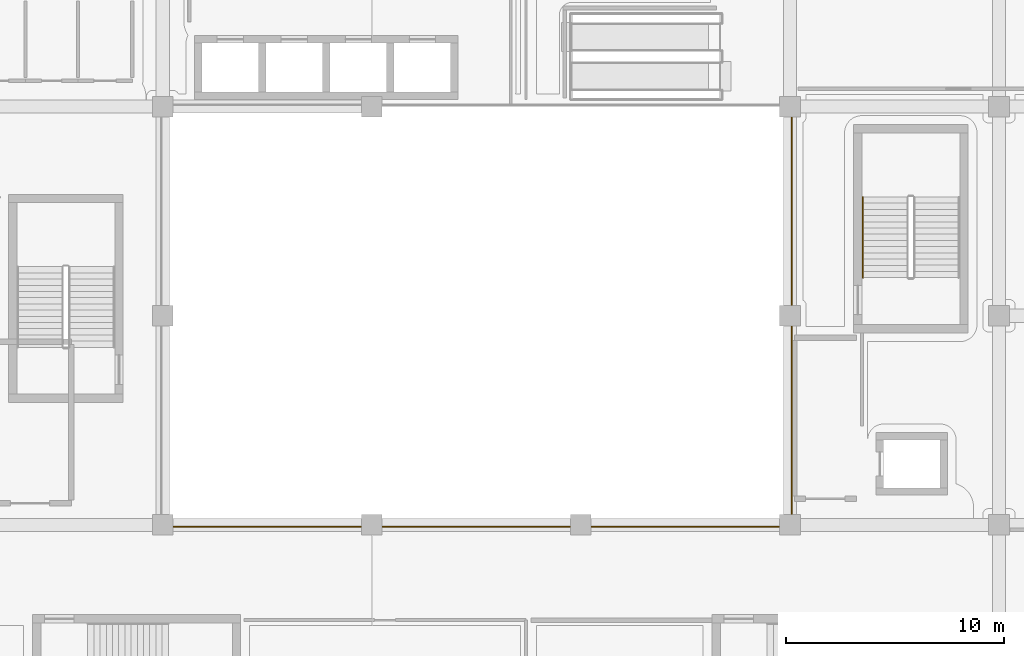
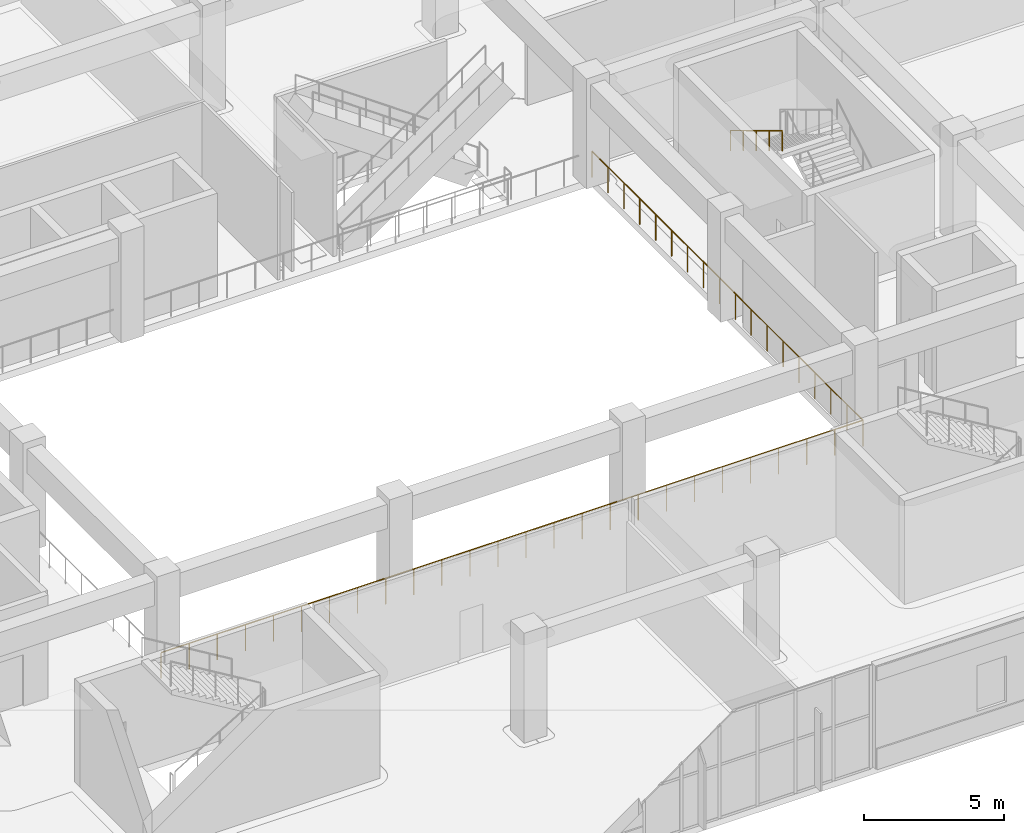
# One storey, part 67 of 86: 3 railings.
"""IFC4 building model written with IfcOpenShell, lengths in metres."""

from ifc_helpers import new_model, si_unit, direction, frame, origin, origin_2d, place, context, subcontext, project, spatial, circle, extrude, material, type_object, element, save


model = new_model("IFC4")

# Units and contexts
model_context = context("Model", 3, precision=1e-05, world=origin(), true_north=direction((0.0, 1.0)))
body_context = subcontext(model_context, "Body", "Model", "MODEL_VIEW")
ifc_project = project(units=[si_unit("LENGTHUNIT", "METRE"), si_unit("AREAUNIT", "SQUARE_METRE"), si_unit("VOLUMEUNIT", "CUBIC_METRE"), si_unit("PLANEANGLEUNIT", "RADIAN"), si_unit("MASSUNIT", "GRAM", prefix="KILO")], contexts=[model_context])

# Site, building, storey
site_placement = place(None, origin())
site = spatial("IfcSite", under=ifc_project, at=site_placement, CompositionType="ELEMENT")
building_placement = place(site_placement, origin())
building = spatial("IfcBuilding", under=site, at=building_placement, Name="Cendralis Terraced Arcade", CompositionType="ELEMENT")
storey_placement = place(building_placement, frame((0.0, 0.0, 5.39990234375)))
storey = spatial("IfcBuildingStorey", under=building, at=storey_placement, Name="L01", CompositionType="ELEMENT", Elevation=5.39990234375)

# Railings
ifc_material = material(Name="Brushed stainless steel AISI 316", Category="steel")
railing_type_1 = type_object("IfcRailingType", Name="RL-STAIR-HAND-900", PredefinedType="HANDRAIL", material=ifc_material)
railing_1_placement = place(storey_placement, frame((51.35009765625, 34.2548828125, 2.571533203125)))
element("IfcRailing", 1, at=railing_1_placement, inside=storey, type_object=railing_type_1, Name="L01 ST-04 stair handrail 2", PredefinedType="HANDRAIL", context=body_context, shape_type="SweptSolid", body=[
    extrude(circle(Radius=0.02392578125, at=origin_2d()), frame((0.0, 0.0, 0.8759765625), z_axis=(0.0, -0.856919398105, 0.515450429384), x_axis=(1.0, 0.0, 0.0)), (0.0, 0.0, 1.0), 4.323486328125),
    extrude(circle(Radius=0.02099609375, at=origin_2d()), origin(), (0.0, 0.0, 1.0), 0.851806640625),
    extrude(circle(Radius=0.02099609375, at=origin_2d()), frame((0.0, -0.92626953125, 0.55712890625)), (0.0, 0.0, 1.0), 0.851806640625),
    extrude(circle(Radius=0.02099609375, at=origin_2d()), frame((0.0, -1.8525390625, 1.1142578125)), (0.0, 0.0, 1.0), 0.851806640625),
    extrude(circle(Radius=0.02099609375, at=origin_2d()), frame((0.0, -2.778564453125, 1.67138671875)), (0.0, 0.0, 1.0), 0.851806640625),
    extrude(circle(Radius=0.02099609375, at=origin_2d()), frame((0.0, -3.704833984375, 2.228515625)), (0.0, 0.0, 1.0), 0.851806640625),
])
railing_type_2 = type_object("IfcRailingType", Name="RL-VOID-BAL-1150", PredefinedType="BALUSTRADE", material=ifc_material)
railing_2_placement = place(storey_placement, frame((19.1201171875, 19.1201171875, 0.0)))
element("IfcRailing", 2, at=railing_2_placement, inside=storey, type_object=railing_type_2, Name="Atrium and Arcade Gallery Balustrade L01-036", PredefinedType="BALUSTRADE", context=body_context, shape_type="SweptSolid", body=[
    extrude(circle(Radius=0.02392578125, at=origin_2d()), frame((0.0, 0.0, 1.1259765625), z_axis=(1.0, 0.0, 0.0), x_axis=(0.0, 1.0, 0.0)), (0.0, 0.0, 1.0), 28.9599609375),
    extrude(circle(Radius=0.02099609375, at=origin_2d()), origin(), (0.0, 0.0, 1.0), 1.101806640625),
    extrude(circle(Radius=0.02099609375, at=origin_2d()), frame((1.158447265625, 0.0, 0.0)), (0.0, 0.0, 1.0), 1.101806640625),
    extrude(circle(Radius=0.02099609375, at=origin_2d()), frame((2.31689453125, 0.0, 0.0)), (0.0, 0.0, 1.0), 1.101806640625),
    extrude(circle(Radius=0.02099609375, at=origin_2d()), frame((3.47509765625, 0.0, 0.0)), (0.0, 0.0, 1.0), 1.101806640625),
    extrude(circle(Radius=0.02099609375, at=origin_2d()), frame((4.633544921875, 0.0, 0.0)), (0.0, 0.0, 1.0), 1.101806640625),
    extrude(circle(Radius=0.02099609375, at=origin_2d()), frame((5.7919921875, 0.0, 0.0)), (0.0, 0.0, 1.0), 1.101806640625),
    extrude(circle(Radius=0.02099609375, at=origin_2d()), frame((6.950439453125, 0.0, 0.0)), (0.0, 0.0, 1.0), 1.101806640625),
    extrude(circle(Radius=0.02099609375, at=origin_2d()), frame((8.10888671875, 0.0, 0.0)), (0.0, 0.0, 1.0), 1.101806640625),
    extrude(circle(Radius=0.02099609375, at=origin_2d()), frame((9.26708984375, 0.0, 0.0)), (0.0, 0.0, 1.0), 1.101806640625),
    extrude(circle(Radius=0.02099609375, at=origin_2d()), frame((10.425537109375, 0.0, 0.0)), (0.0, 0.0, 1.0), 1.101806640625),
    extrude(circle(Radius=0.02099609375, at=origin_2d()), frame((11.583984375, 0.0, 0.0)), (0.0, 0.0, 1.0), 1.101806640625),
    extrude(circle(Radius=0.02099609375, at=origin_2d()), frame((12.742431640625, 0.0, 0.0)), (0.0, 0.0, 1.0), 1.101806640625),
    extrude(circle(Radius=0.02099609375, at=origin_2d()), frame((13.90087890625, 0.0, 0.0)), (0.0, 0.0, 1.0), 1.101806640625),
    extrude(circle(Radius=0.02099609375, at=origin_2d()), frame((15.05908203125, 0.0, 0.0)), (0.0, 0.0, 1.0), 1.101806640625),
    extrude(circle(Radius=0.02099609375, at=origin_2d()), frame((16.217529296875, 0.0, 0.0)), (0.0, 0.0, 1.0), 1.101806640625),
    extrude(circle(Radius=0.02099609375, at=origin_2d()), frame((17.3759765625, 0.0, 0.0)), (0.0, 0.0, 1.0), 1.101806640625),
    extrude(circle(Radius=0.02099609375, at=origin_2d()), frame((18.534423828125, 0.0, 0.0)), (0.0, 0.0, 1.0), 1.101806640625),
    extrude(circle(Radius=0.02099609375, at=origin_2d()), frame((19.69287109375, 0.0, 0.0)), (0.0, 0.0, 1.0), 1.101806640625),
    extrude(circle(Radius=0.02099609375, at=origin_2d()), frame((20.85107421875, 0.0, 0.0)), (0.0, 0.0, 1.0), 1.101806640625),
    extrude(circle(Radius=0.02099609375, at=origin_2d()), frame((22.009521484375, 0.0, 0.0)), (0.0, 0.0, 1.0), 1.101806640625),
    extrude(circle(Radius=0.02099609375, at=origin_2d()), frame((23.16796875, 0.0, 0.0)), (0.0, 0.0, 1.0), 1.101806640625),
    extrude(circle(Radius=0.02099609375, at=origin_2d()), frame((24.326416015625, 0.0, 0.0)), (0.0, 0.0, 1.0), 1.101806640625),
    extrude(circle(Radius=0.02099609375, at=origin_2d()), frame((25.48486328125, 0.0, 0.0)), (0.0, 0.0, 1.0), 1.101806640625),
    extrude(circle(Radius=0.02099609375, at=origin_2d()), frame((26.64306640625, 0.0, 0.0)), (0.0, 0.0, 1.0), 1.101806640625),
    extrude(circle(Radius=0.02099609375, at=origin_2d()), frame((27.801513671875, 0.0, 0.0)), (0.0, 0.0, 1.0), 1.101806640625),
    extrude(circle(Radius=0.02099609375, at=origin_2d()), frame((28.9599609375, 0.0, 0.0)), (0.0, 0.0, 1.0), 1.101806640625),
])
railing_3_placement = place(storey_placement, frame((48.080078125, 19.1201171875, 0.0)))
element("IfcRailing", 3, at=railing_3_placement, inside=storey, type_object=railing_type_2, Name="Atrium and Arcade Gallery Balustrade L01-037", PredefinedType="BALUSTRADE", context=body_context, shape_type="SweptSolid", body=[
    extrude(circle(Radius=0.02392578125, at=origin_2d()), frame((0.0, 0.0, 1.1259765625), z_axis=(0.0, 1.0, 0.0), x_axis=(-1.0, 0.0, 0.0)), (0.0, 0.0, 1.0), 19.35986328125),
    extrude(circle(Radius=0.02099609375, at=origin_2d()), origin(), (0.0, 0.0, 1.0), 1.101806640625),
    extrude(circle(Radius=0.02099609375, at=origin_2d()), frame((0.0, 1.138916015625, 0.0)), (0.0, 0.0, 1.0), 1.101806640625),
    extrude(circle(Radius=0.02099609375, at=origin_2d()), frame((0.0, 2.277587890625, 0.0)), (0.0, 0.0, 1.0), 1.101806640625),
    extrude(circle(Radius=0.02099609375, at=origin_2d()), frame((0.0, 3.41650390625, 0.0)), (0.0, 0.0, 1.0), 1.101806640625),
    extrude(circle(Radius=0.02099609375, at=origin_2d()), frame((0.0, 4.55517578125, 0.0)), (0.0, 0.0, 1.0), 1.101806640625),
    extrude(circle(Radius=0.02099609375, at=origin_2d()), frame((0.0, 5.694091796875, 0.0)), (0.0, 0.0, 1.0), 1.101806640625),
    extrude(circle(Radius=0.02099609375, at=origin_2d()), frame((0.0, 6.8330078125, 0.0)), (0.0, 0.0, 1.0), 1.101806640625),
    extrude(circle(Radius=0.02099609375, at=origin_2d()), frame((0.0, 7.9716796875, 0.0)), (0.0, 0.0, 1.0), 1.101806640625),
    extrude(circle(Radius=0.02099609375, at=origin_2d()), frame((0.0, 9.110595703125, 0.0)), (0.0, 0.0, 1.0), 1.101806640625),
    extrude(circle(Radius=0.02099609375, at=origin_2d()), frame((0.0, 10.249267578125, 0.0)), (0.0, 0.0, 1.0), 1.101806640625),
    extrude(circle(Radius=0.02099609375, at=origin_2d()), frame((0.0, 11.38818359375, 0.0)), (0.0, 0.0, 1.0), 1.101806640625),
    extrude(circle(Radius=0.02099609375, at=origin_2d()), frame((0.0, 12.52685546875, 0.0)), (0.0, 0.0, 1.0), 1.101806640625),
    extrude(circle(Radius=0.02099609375, at=origin_2d()), frame((0.0, 13.665771484375, 0.0)), (0.0, 0.0, 1.0), 1.101806640625),
    extrude(circle(Radius=0.02099609375, at=origin_2d()), frame((0.0, 14.8046875, 0.0)), (0.0, 0.0, 1.0), 1.101806640625),
    extrude(circle(Radius=0.02099609375, at=origin_2d()), frame((0.0, 15.943359375, 0.0)), (0.0, 0.0, 1.0), 1.101806640625),
    extrude(circle(Radius=0.02099609375, at=origin_2d()), frame((0.0, 17.082275390625, 0.0)), (0.0, 0.0, 1.0), 1.101806640625),
    extrude(circle(Radius=0.02099609375, at=origin_2d()), frame((0.0, 18.220947265625, 0.0)), (0.0, 0.0, 1.0), 1.101806640625),
    extrude(circle(Radius=0.02099609375, at=origin_2d()), frame((0.0, 19.35986328125, 0.0)), (0.0, 0.0, 1.0), 1.101806640625),
])

save(model, "model.ifc")
